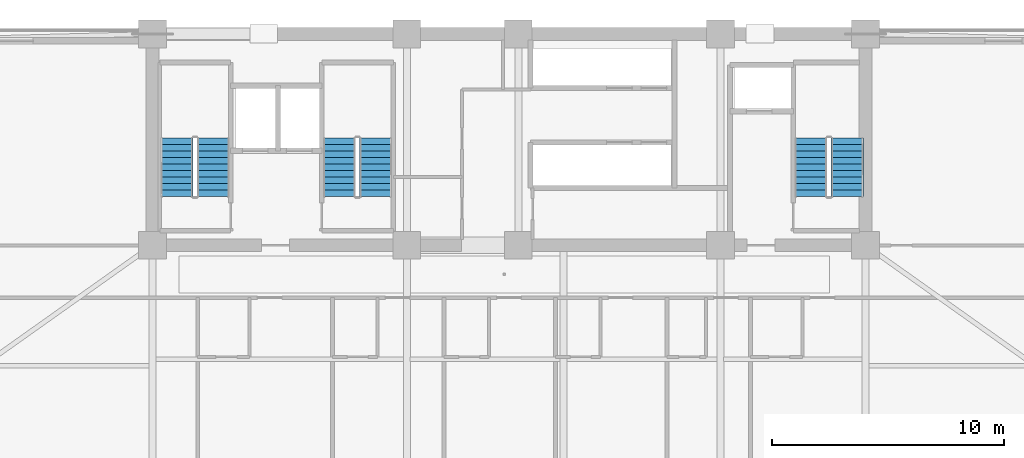
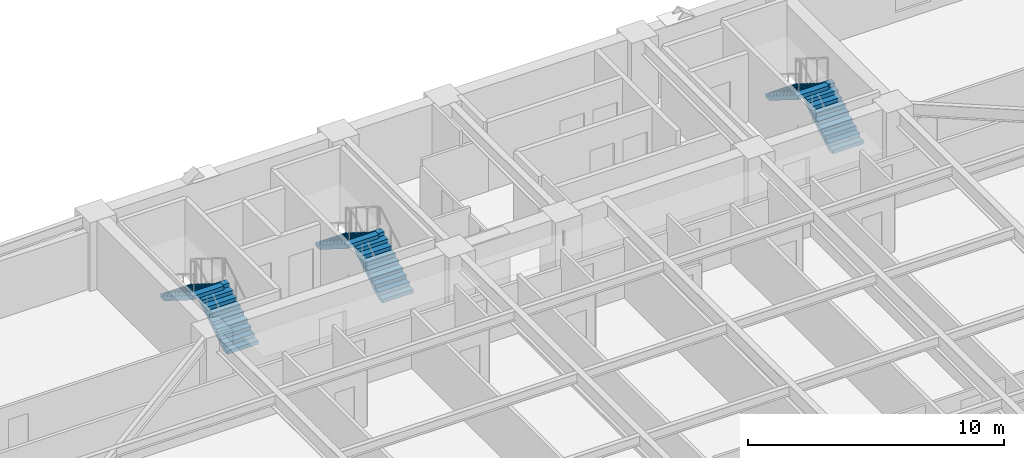
# One storey, part 11 of 17: 6 stair flights, 3 elements without a shape of their own.
"""IFC4 building model written with IfcOpenShell, lengths in metres."""

from ifc_helpers import new_model, si_unit, direction, frame, origin, place, context, subcontext, project, spatial, polyline, outline, extrude, material, type_object, element, aggregate, save


model = new_model("IFC4")

# Units and contexts
model_context = context("Model", 3, precision=1e-05, world=origin(), true_north=direction((0.0, 1.0)))
body_context = subcontext(model_context, "Body", "Model", "MODEL_VIEW")
ifc_project = project(units=[si_unit("LENGTHUNIT", "METRE"), si_unit("AREAUNIT", "SQUARE_METRE"), si_unit("VOLUMEUNIT", "CUBIC_METRE"), si_unit("PLANEANGLEUNIT", "RADIAN"), si_unit("MASSUNIT", "GRAM", prefix="KILO")], contexts=[model_context])

# Site, building, storey
site_placement = place(None, origin())
site = spatial("IfcSite", under=ifc_project, at=site_placement, CompositionType="ELEMENT")
building_placement = place(site_placement, origin())
building = spatial("IfcBuilding", under=site, at=building_placement, Name="Giltprow Tower", CompositionType="ELEMENT")
storey_placement = place(building_placement, frame((0.0, 0.0, 137.699951171875)))
storey = spatial("IfcBuildingStorey", under=building, at=storey_placement, Name="L33", CompositionType="ELEMENT", Elevation=137.699951171875)

# Stair, stair flights
ifc_material = material(Name="Concrete C40", Category="concrete")
stair_type_1 = type_object("IfcStairType", Name="STR-ST-1", PredefinedType="HALF_TURN_STAIR", material=ifc_material)
stair_1_placement = place(storey_placement, origin())
stair_1 = element("IfcStair", 1, at=stair_1_placement, inside=storey, type_object=stair_type_1, Name="L33 Core Exit Stair ST-1", PredefinedType="HALF_TURN_STAIR")
stair_flight_type_1 = type_object("IfcStairFlightType", Name="SFL-ST-1", PredefinedType="STRAIGHT", material=ifc_material)
stair_flight_1_placement = place(storey_placement, frame((22.4599609375, 39.550048828125, 0.0), z_axis=(0.0, 0.0, 1.0), x_axis=(0.0, 1.0, 0.0)))
stair_flight_1 = element("IfcStairFlight", 2, at=stair_flight_1_placement, type_object=stair_flight_type_1, Name="ST-1 flight 1", NumberOfRisers=10, NumberOfTreads=9, PredefinedType="STRAIGHT", RiserHeight=0.175, TreadLength=0.28, context=body_context, shape_type="SweptSolid", body=[
    extrude(outline(polyline([(0.0, 0.0), (0.0, 0.175048828125), (0.280029296875, 0.175048828125), (0.280029296875, 0.35009765625), (0.56005859375, 0.35009765625), (0.56005859375, 0.52490234375), (0.840087890625, 0.52490234375), (0.840087890625, 0.699951171875), (1.1201171875, 0.699951171875), (1.1201171875, 0.875), (1.39990234375, 0.875), (1.39990234375, 1.050048828125), (1.679931640625, 1.050048828125), (1.679931640625, 1.22509765625), (1.9599609375, 1.22509765625), (1.9599609375, 1.39990234375), (2.239990234375, 1.39990234375), (2.239990234375, 1.574951171875), (2.52001953125, 1.574951171875), (2.52001953125, 1.75), (2.52001953125, 1.398193359375), (0.28271484375, 0.0), (0.0, 0.0)])), frame((0.0, 0.699951171875, 0.0), z_axis=(0.0, -1.0, 0.0), x_axis=(1.0, 0.0, 0.0)), (0.0, 0.0, 1.0), 1.39990234375),
])
stair_flight_2_placement = place(storey_placement, frame((20.89990234375, 42.070068359375, 1.75), z_axis=(0.0, 0.0, 1.0), x_axis=(0.0, -1.0, 0.0)))
stair_flight_2 = element("IfcStairFlight", 3, at=stair_flight_2_placement, type_object=stair_flight_type_1, Name="ST-1 flight 2", NumberOfRisers=10, NumberOfTreads=9, PredefinedType="STRAIGHT", RiserHeight=0.175, TreadLength=0.28, context=body_context, shape_type="SweptSolid", body=[
    extrude(outline(polyline([(0.0, 0.0), (0.0, 0.175048828125), (0.280029296875, 0.175048828125), (0.280029296875, 0.35009765625), (0.56005859375, 0.35009765625), (0.56005859375, 0.52490234375), (0.840087890625, 0.52490234375), (0.840087890625, 0.699951171875), (1.1201171875, 0.699951171875), (1.1201171875, 0.875), (1.39990234375, 0.875), (1.39990234375, 1.050048828125), (1.679931640625, 1.050048828125), (1.679931640625, 1.22509765625), (1.9599609375, 1.22509765625), (1.9599609375, 1.39990234375), (2.239990234375, 1.39990234375), (2.239990234375, 1.574951171875), (2.52001953125, 1.574951171875), (2.52001953125, 1.75), (2.52001953125, 1.398193359375), (0.28271484375, 0.0), (0.0, 0.0)])), frame((0.0, 0.699951171875, 0.0), z_axis=(0.0, -1.0, 0.0), x_axis=(1.0, 0.0, 0.0)), (0.0, 0.0, 1.0), 1.39990234375),
])
aggregate(stair_1, [stair_flight_1, stair_flight_2])

stair_type_2 = type_object("IfcStairType", Name="STR-ST-2", PredefinedType="HALF_TURN_STAIR", material=ifc_material)
stair_2_placement = place(storey_placement, origin())
stair_2 = element("IfcStair", 4, at=stair_2_placement, inside=storey, type_object=stair_type_2, Name="L33 Core Exit Stair ST-2", PredefinedType="HALF_TURN_STAIR")
stair_flight_type_2 = type_object("IfcStairFlightType", Name="SFL-ST-2", PredefinedType="STRAIGHT", material=ifc_material)
stair_flight_3_placement = place(storey_placement, frame((29.4599609375, 39.550048828125, 0.0), z_axis=(0.0, 0.0, 1.0), x_axis=(0.0, 1.0, 0.0)))
stair_flight_3 = element("IfcStairFlight", 5, at=stair_flight_3_placement, type_object=stair_flight_type_2, Name="ST-2 flight 1", NumberOfRisers=10, NumberOfTreads=9, PredefinedType="STRAIGHT", RiserHeight=0.175, TreadLength=0.28, context=body_context, shape_type="SweptSolid", body=[
    extrude(outline(polyline([(0.0, 0.0), (0.0, 0.175048828125), (0.280029296875, 0.175048828125), (0.280029296875, 0.35009765625), (0.56005859375, 0.35009765625), (0.56005859375, 0.52490234375), (0.840087890625, 0.52490234375), (0.840087890625, 0.699951171875), (1.1201171875, 0.699951171875), (1.1201171875, 0.875), (1.39990234375, 0.875), (1.39990234375, 1.050048828125), (1.679931640625, 1.050048828125), (1.679931640625, 1.22509765625), (1.9599609375, 1.22509765625), (1.9599609375, 1.39990234375), (2.239990234375, 1.39990234375), (2.239990234375, 1.574951171875), (2.52001953125, 1.574951171875), (2.52001953125, 1.75), (2.52001953125, 1.398193359375), (0.28271484375, 0.0), (0.0, 0.0)])), frame((0.0, 0.699951171875, 0.0), z_axis=(0.0, -1.0, 0.0), x_axis=(1.0, 0.0, 0.0)), (0.0, 0.0, 1.0), 1.39990234375),
])
stair_flight_4_placement = place(storey_placement, frame((27.89990234375, 42.070068359375, 1.75), z_axis=(0.0, 0.0, 1.0), x_axis=(0.0, -1.0, 0.0)))
stair_flight_4 = element("IfcStairFlight", 6, at=stair_flight_4_placement, type_object=stair_flight_type_2, Name="ST-2 flight 2", NumberOfRisers=10, NumberOfTreads=9, PredefinedType="STRAIGHT", RiserHeight=0.175, TreadLength=0.28, context=body_context, shape_type="SweptSolid", body=[
    extrude(outline(polyline([(0.0, 0.0), (0.0, 0.175048828125), (0.280029296875, 0.175048828125), (0.280029296875, 0.35009765625), (0.56005859375, 0.35009765625), (0.56005859375, 0.52490234375), (0.840087890625, 0.52490234375), (0.840087890625, 0.699951171875), (1.1201171875, 0.699951171875), (1.1201171875, 0.875), (1.39990234375, 0.875), (1.39990234375, 1.050048828125), (1.679931640625, 1.050048828125), (1.679931640625, 1.22509765625), (1.9599609375, 1.22509765625), (1.9599609375, 1.39990234375), (2.239990234375, 1.39990234375), (2.239990234375, 1.574951171875), (2.52001953125, 1.574951171875), (2.52001953125, 1.75), (2.52001953125, 1.398193359375), (0.28271484375, 0.0), (0.0, 0.0)])), frame((0.0, 0.699951171875, 0.0), z_axis=(0.0, -1.0, 0.0), x_axis=(1.0, 0.0, 0.0)), (0.0, 0.0, 1.0), 1.39990234375),
])
aggregate(stair_2, [stair_flight_3, stair_flight_4])

stair_type_3 = type_object("IfcStairType", Name="STR-ST-3", PredefinedType="HALF_TURN_STAIR", material=ifc_material)
stair_3_placement = place(storey_placement, origin())
stair_3 = element("IfcStair", 7, at=stair_3_placement, inside=storey, type_object=stair_type_3, Name="L33 Core Exit Stair ST-3", PredefinedType="HALF_TURN_STAIR")
stair_flight_type_3 = type_object("IfcStairFlightType", Name="SFL-ST-3", PredefinedType="STRAIGHT", material=ifc_material)
stair_flight_5_placement = place(storey_placement, frame((49.760009765625, 39.550048828125, 0.0), z_axis=(0.0, 0.0, 1.0), x_axis=(0.0, 1.0, 0.0)))
stair_flight_5 = element("IfcStairFlight", 8, at=stair_flight_5_placement, type_object=stair_flight_type_3, Name="ST-3 flight 1", NumberOfRisers=10, NumberOfTreads=9, PredefinedType="STRAIGHT", RiserHeight=0.175, TreadLength=0.28, context=body_context, shape_type="SweptSolid", body=[
    extrude(outline(polyline([(0.0, 0.0), (0.0, 0.175048828125), (0.280029296875, 0.175048828125), (0.280029296875, 0.35009765625), (0.56005859375, 0.35009765625), (0.56005859375, 0.52490234375), (0.840087890625, 0.52490234375), (0.840087890625, 0.699951171875), (1.1201171875, 0.699951171875), (1.1201171875, 0.875), (1.39990234375, 0.875), (1.39990234375, 1.050048828125), (1.679931640625, 1.050048828125), (1.679931640625, 1.22509765625), (1.9599609375, 1.22509765625), (1.9599609375, 1.39990234375), (2.239990234375, 1.39990234375), (2.239990234375, 1.574951171875), (2.52001953125, 1.574951171875), (2.52001953125, 1.75), (2.52001953125, 1.398193359375), (0.28271484375, 0.0), (0.0, 0.0)])), frame((0.0, 0.699951171875, 0.0), z_axis=(0.0, -1.0, 0.0), x_axis=(1.0, 0.0, 0.0)), (0.0, 0.0, 1.0), 1.39990234375),
])
stair_flight_6_placement = place(storey_placement, frame((48.199951171875, 42.070068359375, 1.75), z_axis=(0.0, 0.0, 1.0), x_axis=(0.0, -1.0, 0.0)))
stair_flight_6 = element("IfcStairFlight", 9, at=stair_flight_6_placement, type_object=stair_flight_type_3, Name="ST-3 flight 2", NumberOfRisers=10, NumberOfTreads=9, PredefinedType="STRAIGHT", RiserHeight=0.175, TreadLength=0.28, context=body_context, shape_type="SweptSolid", body=[
    extrude(outline(polyline([(0.0, 0.0), (0.0, 0.175048828125), (0.280029296875, 0.175048828125), (0.280029296875, 0.35009765625), (0.56005859375, 0.35009765625), (0.56005859375, 0.52490234375), (0.840087890625, 0.52490234375), (0.840087890625, 0.699951171875), (1.1201171875, 0.699951171875), (1.1201171875, 0.875), (1.39990234375, 0.875), (1.39990234375, 1.050048828125), (1.679931640625, 1.050048828125), (1.679931640625, 1.22509765625), (1.9599609375, 1.22509765625), (1.9599609375, 1.39990234375), (2.239990234375, 1.39990234375), (2.239990234375, 1.574951171875), (2.52001953125, 1.574951171875), (2.52001953125, 1.75), (2.52001953125, 1.398193359375), (0.28271484375, 0.0), (0.0, 0.0)])), frame((0.0, 0.699951171875, 0.0), z_axis=(0.0, -1.0, 0.0), x_axis=(1.0, 0.0, 0.0)), (0.0, 0.0, 1.0), 1.39990234375),
])
aggregate(stair_3, [stair_flight_5, stair_flight_6])

save(model, "model.ifc")
